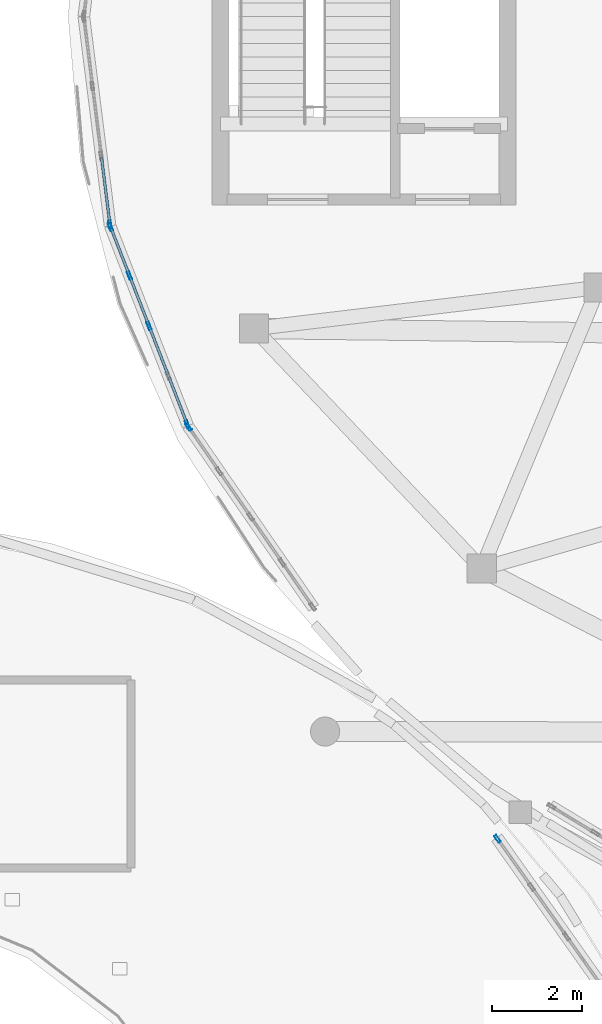
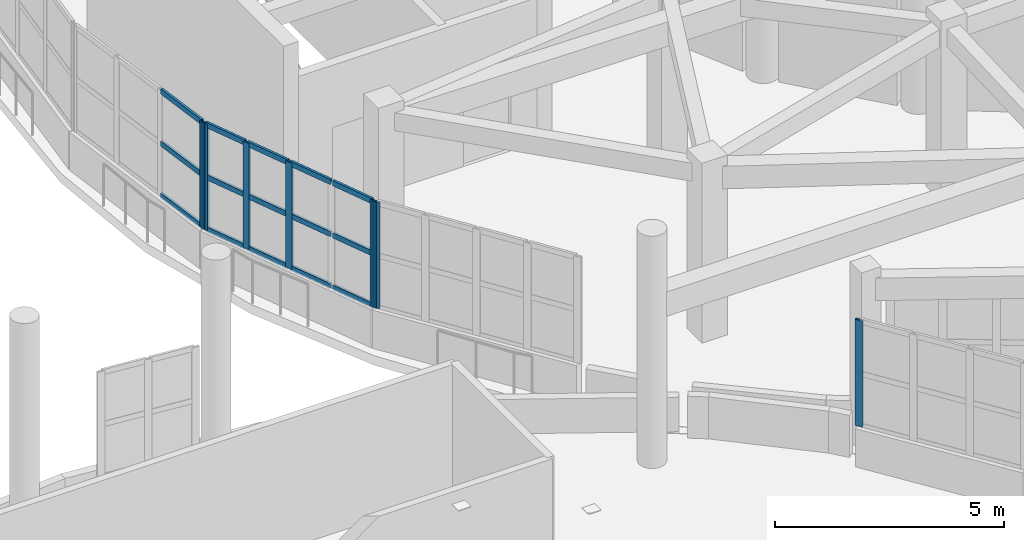
# One storey, part 44 of 105: 22 members, 4 elements without a shape of their own.
"""IFC4 building model written with IfcOpenShell, lengths in metres."""

from ifc_helpers import new_model, si_unit, direction, frame, origin, origin_2d, place, context, subcontext, project, spatial, hollow_rectangle, extrude, material, layer, layer_set, material_profile, profile_set, type_object, element, aggregate, save


model = new_model("IFC4")

# Units and contexts
model_context = context("Model", 3, precision=1e-05, world=origin(), true_north=direction((0.0, 1.0)))
body_context = subcontext(model_context, "Body", "Model", "MODEL_VIEW")
ifc_project = project(units=[si_unit("LENGTHUNIT", "METRE"), si_unit("AREAUNIT", "SQUARE_METRE"), si_unit("VOLUMEUNIT", "CUBIC_METRE"), si_unit("PLANEANGLEUNIT", "RADIAN"), si_unit("MASSUNIT", "GRAM", prefix="KILO")], contexts=[model_context])

# Site, building, storey
site_placement = place(None, origin())
site = spatial("IfcSite", under=ifc_project, at=site_placement, CompositionType="ELEMENT")
building_placement = place(site_placement, origin())
building = spatial("IfcBuilding", under=site, at=building_placement, Name="Pelvatis Terrace Science Centre", CompositionType="ELEMENT")
storey_placement = place(building_placement, frame((0.0, 0.0, 10.199951171875)))
storey = spatial("IfcBuildingStorey", under=building, at=storey_placement, Name="L02", CompositionType="ELEMENT", Elevation=10.199951171875)

# Curtain wall, member
ifc_material_1 = material(Name="Bronze-anodised aluminium and laminated glass", Category="aluminium")
ifc_layer = layer(ifc_material_1, 0.179931640625)
ifc_layer_set = layer_set([ifc_layer], Name="Bronze-anodised aluminium and laminated glass")
curtain_wall_type = type_object("IfcCurtainWallType", Name="CW-RIBBON-A", PredefinedType="NOTDEFINED", material=ifc_layer_set)
curtain_wall_1_placement = place(storey_placement, origin())
curtain_wall_1 = element("IfcCurtainWall", 1, at=curtain_wall_1_placement, inside=storey, type_object=curtain_wall_type, Name="Ribbon curtain wall CW-079 (L02)", PredefinedType="NOTDEFINED")
ifc_material_2 = material(Name="Bronze-anodised aluminium 6063-T6", Category="aluminium")
ifc_material_profile_1 = material_profile(ifc_material_2, hollow_rectangle(XDim=0.06005859375, YDim=0.179931640625, WallThickness=0.00390625, at=origin_2d()), Name="ALU-MUL 60x180")
ifc_profile_set_1 = profile_set([ifc_material_profile_1], Name="Bronze-anodised aluminium 6063-T6")
member_type_1 = type_object("IfcMemberType", Name="CWM-60x180", PredefinedType="MULLION", material=ifc_profile_set_1)
member_1_placement = place(storey_placement, frame((92.980224609375, 65.055419921875, 1.02001953125), z_axis=(0.0, 0.0, 1.0), x_axis=(-0.8163259778, -0.57759146286, 0.0)))
member_1 = element("IfcMember", 2, at=member_1_placement, type_object=member_type_1, Name="CW-079 mullion 4", PredefinedType="MULLION", context=body_context, shape_type="SweptSolid", body=[
    extrude(hollow_rectangle(XDim=0.06005859375, YDim=0.179931640625, WallThickness=0.00390625, at=origin_2d()), origin(), (0.0, 0.0, 1.0), 2.840087890625),
])
aggregate(curtain_wall_1, [member_1])

curtain_wall_2_placement = place(storey_placement, origin())
curtain_wall_2 = element("IfcCurtainWall", 3, at=curtain_wall_2_placement, inside=storey, type_object=curtain_wall_type, Name="Ribbon curtain wall CW-169 (L02)", PredefinedType="NOTDEFINED")
member_2_placement = place(storey_placement, frame((84.3330078125, 78.76220703125, 1.02001953125), z_axis=(0.0, 0.0, 1.0), x_axis=(0.992192615485, 0.124714930048, 0.0)))
member_2 = element("IfcMember", 4, at=member_2_placement, type_object=member_type_1, Name="CW-169 mullion 4", PredefinedType="MULLION", context=body_context, shape_type="SweptSolid", body=[
    extrude(hollow_rectangle(XDim=0.06005859375, YDim=0.179931640625, WallThickness=0.00390625, at=origin_2d()), origin(), (0.0, 0.0, 1.0), 2.840087890625),
])

# Curtain wall, members
curtain_wall_3_placement = place(storey_placement, origin())
curtain_wall_3 = element("IfcCurtainWall", 5, at=curtain_wall_3_placement, inside=storey, type_object=curtain_wall_type, Name="Ribbon curtain wall CW-170 (L02)", PredefinedType="NOTDEFINED")
member_3_placement = place(storey_placement, frame((84.34765625, 78.704345703125, 1.02001953125), z_axis=(0.0, 0.0, 1.0), x_axis=(0.932092427313, 0.362220522536, 0.0)))
member_3 = element("IfcMember", 6, at=member_3_placement, type_object=member_type_1, Name="CW-170 mullion 1", PredefinedType="MULLION", context=body_context, shape_type="SweptSolid", body=[
    extrude(hollow_rectangle(XDim=0.06005859375, YDim=0.179931640625, WallThickness=0.00390625, at=origin_2d()), origin(), (0.0, 0.0, 1.0), 2.840087890625),
])
member_4_placement = place(storey_placement, frame((84.770263671875, 77.616455078125, 1.02001953125), z_axis=(0.0, 0.0, 1.0), x_axis=(0.932092427313, 0.362220522536, 0.0)))
member_4 = element("IfcMember", 7, at=member_4_placement, type_object=member_type_1, Name="CW-170 mullion 2", PredefinedType="MULLION", context=body_context, shape_type="SweptSolid", body=[
    extrude(hollow_rectangle(XDim=0.06005859375, YDim=0.179931640625, WallThickness=0.00390625, at=origin_2d()), origin(), (0.0, 0.0, 1.0), 2.840087890625),
])
member_5_placement = place(storey_placement, frame((85.2041015625, 76.50048828125, 1.02001953125), z_axis=(0.0, 0.0, 1.0), x_axis=(0.932092427313, 0.362220522536, 0.0)))
member_5 = element("IfcMember", 8, at=member_5_placement, type_object=member_type_1, Name="CW-170 mullion 3", PredefinedType="MULLION", context=body_context, shape_type="SweptSolid", body=[
    extrude(hollow_rectangle(XDim=0.06005859375, YDim=0.179931640625, WallThickness=0.00390625, at=origin_2d()), origin(), (0.0, 0.0, 1.0), 2.840087890625),
])
member_6_placement = place(storey_placement, frame((86.060546875, 74.296875, 1.02001953125), z_axis=(0.0, 0.0, 1.0), x_axis=(0.932092427313, 0.362220522536, 0.0)))
member_6 = element("IfcMember", 9, at=member_6_placement, type_object=member_type_1, Name="CW-170 mullion 5", PredefinedType="MULLION", context=body_context, shape_type="SweptSolid", body=[
    extrude(hollow_rectangle(XDim=0.06005859375, YDim=0.179931640625, WallThickness=0.00390625, at=origin_2d()), origin(), (0.0, 0.0, 1.0), 2.840087890625),
])

# Curtain wall, member
curtain_wall_4_placement = place(storey_placement, origin())
curtain_wall_4 = element("IfcCurtainWall", 10, at=curtain_wall_4_placement, inside=storey, type_object=curtain_wall_type, Name="Ribbon curtain wall CW-171 (L02)", PredefinedType="NOTDEFINED")
member_7_placement = place(storey_placement, frame((86.08837890625, 74.244140625, 1.02001953125), z_axis=(0.0, 0.0, 1.0), x_axis=(0.822888336113, 0.568203120626, 0.0)))
member_7 = element("IfcMember", 11, at=member_7_placement, type_object=member_type_1, Name="CW-171 mullion 1", PredefinedType="MULLION", context=body_context, shape_type="SweptSolid", body=[
    extrude(hollow_rectangle(XDim=0.06005859375, YDim=0.179931640625, WallThickness=0.00390625, at=origin_2d()), origin(), (0.0, 0.0, 1.0), 2.840087890625),
])
aggregate(curtain_wall_4, [member_7])

# Member
ifc_material_3 = material(Name="Bronze-anodised aluminium 6063-T6", Category="aluminium")
ifc_material_profile_2 = material_profile(ifc_material_3, hollow_rectangle(XDim=0.06005859375, YDim=0.139892578125, WallThickness=0.00390625, at=origin_2d()), Name="ALU-TRN 60x140")
ifc_profile_set_2 = profile_set([ifc_material_profile_2], Name="Bronze-anodised aluminium 6063-T6")
member_type_2 = type_object("IfcMemberType", Name="CWT-60x140", PredefinedType="USERDEFINED", material=ifc_profile_set_2)
member_8_placement = place(storey_placement, frame((84.144775390625, 80.258544921875, 1.050048828125), z_axis=(0.124705562452, -0.992193792912, 0.0), x_axis=(0.992193792912, 0.124705562452, 0.0)))
member_8 = element("IfcMember", 12, at=member_8_placement, type_object=member_type_2, Name="CW-169 transom 3.1", ObjectType="TRANSOM", PredefinedType="USERDEFINED", context=body_context, shape_type="SweptSolid", body=[
    extrude(hollow_rectangle(XDim=0.06005859375, YDim=0.139892578125, WallThickness=0.00390625, at=origin_2d()), origin(), (0.0, 0.0, 1.0), 1.47802734375),
])

member_9_placement = place(storey_placement, frame((84.144775390625, 80.258544921875, 2.43994140625), z_axis=(0.124705562452, -0.992193792912, 0.0), x_axis=(0.992193792912, 0.124705562452, 0.0)))
member_9 = element("IfcMember", 13, at=member_9_placement, type_object=member_type_2, Name="CW-169 transom 3.2", ObjectType="TRANSOM", PredefinedType="USERDEFINED", context=body_context, shape_type="SweptSolid", body=[
    extrude(hollow_rectangle(XDim=0.06005859375, YDim=0.139892578125, WallThickness=0.00390625, at=origin_2d()), origin(), (0.0, 0.0, 1.0), 1.47802734375),
])

member_10_placement = place(storey_placement, frame((84.144775390625, 80.258544921875, 3.830078125), z_axis=(0.124705562452, -0.992193792912, 0.0), x_axis=(0.992193792912, 0.124705562452, 0.0)))
member_10 = element("IfcMember", 14, at=member_10_placement, type_object=member_type_2, Name="CW-169 transom 3.3", ObjectType="TRANSOM", PredefinedType="USERDEFINED", context=body_context, shape_type="SweptSolid", body=[
    extrude(hollow_rectangle(XDim=0.06005859375, YDim=0.139892578125, WallThickness=0.00390625, at=origin_2d()), origin(), (0.0, 0.0, 1.0), 1.47802734375),
])

aggregate(curtain_wall_2, [member_2, member_8, member_9, member_10])

member_11_placement = place(storey_placement, frame((84.3583984375, 78.676513671875, 1.050048828125), z_axis=(0.362286642314, -0.9320667298, 0.0), x_axis=(0.9320667298, 0.362286642314, 0.0)))
member_11 = element("IfcMember", 15, at=member_11_placement, type_object=member_type_2, Name="CW-170 transom 1.1", ObjectType="TRANSOM", PredefinedType="USERDEFINED", context=body_context, shape_type="SweptSolid", body=[
    extrude(hollow_rectangle(XDim=0.06005859375, YDim=0.139892578125, WallThickness=0.00390625, at=origin_2d()), origin(), (0.0, 0.0, 1.0), 1.107177734375),
])

member_12_placement = place(storey_placement, frame((84.3583984375, 78.676513671875, 2.43994140625), z_axis=(0.362286642314, -0.9320667298, 0.0), x_axis=(0.9320667298, 0.362286642314, 0.0)))
member_12 = element("IfcMember", 16, at=member_12_placement, type_object=member_type_2, Name="CW-170 transom 1.2", ObjectType="TRANSOM", PredefinedType="USERDEFINED", context=body_context, shape_type="SweptSolid", body=[
    extrude(hollow_rectangle(XDim=0.06005859375, YDim=0.139892578125, WallThickness=0.00390625, at=origin_2d()), origin(), (0.0, 0.0, 1.0), 1.107177734375),
])

member_13_placement = place(storey_placement, frame((84.3583984375, 78.676513671875, 3.830078125), z_axis=(0.362286642314, -0.9320667298, 0.0), x_axis=(0.9320667298, 0.362286642314, 0.0)))
member_13 = element("IfcMember", 17, at=member_13_placement, type_object=member_type_2, Name="CW-170 transom 1.3", ObjectType="TRANSOM", PredefinedType="USERDEFINED", context=body_context, shape_type="SweptSolid", body=[
    extrude(hollow_rectangle(XDim=0.06005859375, YDim=0.139892578125, WallThickness=0.00390625, at=origin_2d()), origin(), (0.0, 0.0, 1.0), 1.107177734375),
])

member_14_placement = place(storey_placement, frame((84.78125, 77.588623046875, 1.050048828125), z_axis=(0.362156173801, -0.932117431324, 0.0), x_axis=(0.932117431324, 0.362156173801, 0.0)))
member_14 = element("IfcMember", 18, at=member_14_placement, type_object=member_type_2, Name="CW-170 transom 2.1", ObjectType="TRANSOM", PredefinedType="USERDEFINED", context=body_context, shape_type="SweptSolid", body=[
    extrude(hollow_rectangle(XDim=0.06005859375, YDim=0.139892578125, WallThickness=0.00390625, at=origin_2d()), origin(), (0.0, 0.0, 1.0), 1.13720703125),
])

member_15_placement = place(storey_placement, frame((84.78125, 77.588623046875, 2.43994140625), z_axis=(0.362156173801, -0.932117431324, 0.0), x_axis=(0.932117431324, 0.362156173801, 0.0)))
member_15 = element("IfcMember", 19, at=member_15_placement, type_object=member_type_2, Name="CW-170 transom 2.2", ObjectType="TRANSOM", PredefinedType="USERDEFINED", context=body_context, shape_type="SweptSolid", body=[
    extrude(hollow_rectangle(XDim=0.06005859375, YDim=0.139892578125, WallThickness=0.00390625, at=origin_2d()), origin(), (0.0, 0.0, 1.0), 1.13720703125),
])

member_16_placement = place(storey_placement, frame((84.78125, 77.588623046875, 3.830078125), z_axis=(0.362156173801, -0.932117431324, 0.0), x_axis=(0.932117431324, 0.362156173801, 0.0)))
member_16 = element("IfcMember", 20, at=member_16_placement, type_object=member_type_2, Name="CW-170 transom 2.3", ObjectType="TRANSOM", PredefinedType="USERDEFINED", context=body_context, shape_type="SweptSolid", body=[
    extrude(hollow_rectangle(XDim=0.06005859375, YDim=0.139892578125, WallThickness=0.00390625, at=origin_2d()), origin(), (0.0, 0.0, 1.0), 1.13720703125),
])

member_17_placement = place(storey_placement, frame((85.21484375, 76.47265625, 1.050048828125), z_axis=(0.362156173801, -0.932117431324, 0.0), x_axis=(0.932117431324, 0.362156173801, 0.0)))
member_17 = element("IfcMember", 21, at=member_17_placement, type_object=member_type_2, Name="CW-170 transom 3.1", ObjectType="TRANSOM", PredefinedType="USERDEFINED", context=body_context, shape_type="SweptSolid", body=[
    extrude(hollow_rectangle(XDim=0.06005859375, YDim=0.139892578125, WallThickness=0.00390625, at=origin_2d()), origin(), (0.0, 0.0, 1.0), 1.13720703125),
])

member_18_placement = place(storey_placement, frame((85.21484375, 76.47265625, 2.43994140625), z_axis=(0.362156173801, -0.932117431324, 0.0), x_axis=(0.932117431324, 0.362156173801, 0.0)))
member_18 = element("IfcMember", 22, at=member_18_placement, type_object=member_type_2, Name="CW-170 transom 3.2", ObjectType="TRANSOM", PredefinedType="USERDEFINED", context=body_context, shape_type="SweptSolid", body=[
    extrude(hollow_rectangle(XDim=0.06005859375, YDim=0.139892578125, WallThickness=0.00390625, at=origin_2d()), origin(), (0.0, 0.0, 1.0), 1.13720703125),
])

member_19_placement = place(storey_placement, frame((85.21484375, 76.47265625, 3.830078125), z_axis=(0.362156173801, -0.932117431324, 0.0), x_axis=(0.932117431324, 0.362156173801, 0.0)))
member_19 = element("IfcMember", 23, at=member_19_placement, type_object=member_type_2, Name="CW-170 transom 3.3", ObjectType="TRANSOM", PredefinedType="USERDEFINED", context=body_context, shape_type="SweptSolid", body=[
    extrude(hollow_rectangle(XDim=0.06005859375, YDim=0.139892578125, WallThickness=0.00390625, at=origin_2d()), origin(), (0.0, 0.0, 1.0), 1.13720703125),
])

member_20_placement = place(storey_placement, frame((85.6484375, 75.356689453125, 1.050048828125), z_axis=(0.362286642314, -0.9320667298, 0.0), x_axis=(0.9320667298, 0.362286642314, 0.0)))
member_20 = element("IfcMember", 24, at=member_20_placement, type_object=member_type_2, Name="CW-170 transom 4.1", ObjectType="TRANSOM", PredefinedType="USERDEFINED", context=body_context, shape_type="SweptSolid", body=[
    extrude(hollow_rectangle(XDim=0.06005859375, YDim=0.139892578125, WallThickness=0.00390625, at=origin_2d()), origin(), (0.0, 0.0, 1.0), 1.107177734375),
])

member_21_placement = place(storey_placement, frame((85.6484375, 75.356689453125, 2.43994140625), z_axis=(0.362286642314, -0.9320667298, 0.0), x_axis=(0.9320667298, 0.362286642314, 0.0)))
member_21 = element("IfcMember", 25, at=member_21_placement, type_object=member_type_2, Name="CW-170 transom 4.2", ObjectType="TRANSOM", PredefinedType="USERDEFINED", context=body_context, shape_type="SweptSolid", body=[
    extrude(hollow_rectangle(XDim=0.06005859375, YDim=0.139892578125, WallThickness=0.00390625, at=origin_2d()), origin(), (0.0, 0.0, 1.0), 1.107177734375),
])

member_22_placement = place(storey_placement, frame((85.6484375, 75.356689453125, 3.830078125), z_axis=(0.362286642314, -0.9320667298, 0.0), x_axis=(0.9320667298, 0.362286642314, 0.0)))
member_22 = element("IfcMember", 26, at=member_22_placement, type_object=member_type_2, Name="CW-170 transom 4.3", ObjectType="TRANSOM", PredefinedType="USERDEFINED", context=body_context, shape_type="SweptSolid", body=[
    extrude(hollow_rectangle(XDim=0.06005859375, YDim=0.139892578125, WallThickness=0.00390625, at=origin_2d()), origin(), (0.0, 0.0, 1.0), 1.107177734375),
])

aggregate(curtain_wall_3, [member_3, member_4, member_5, member_6, member_11, member_12, member_13, member_14, member_15, member_16, member_17, member_18, member_19, member_20, member_21, member_22])

save(model, "model.ifc")
